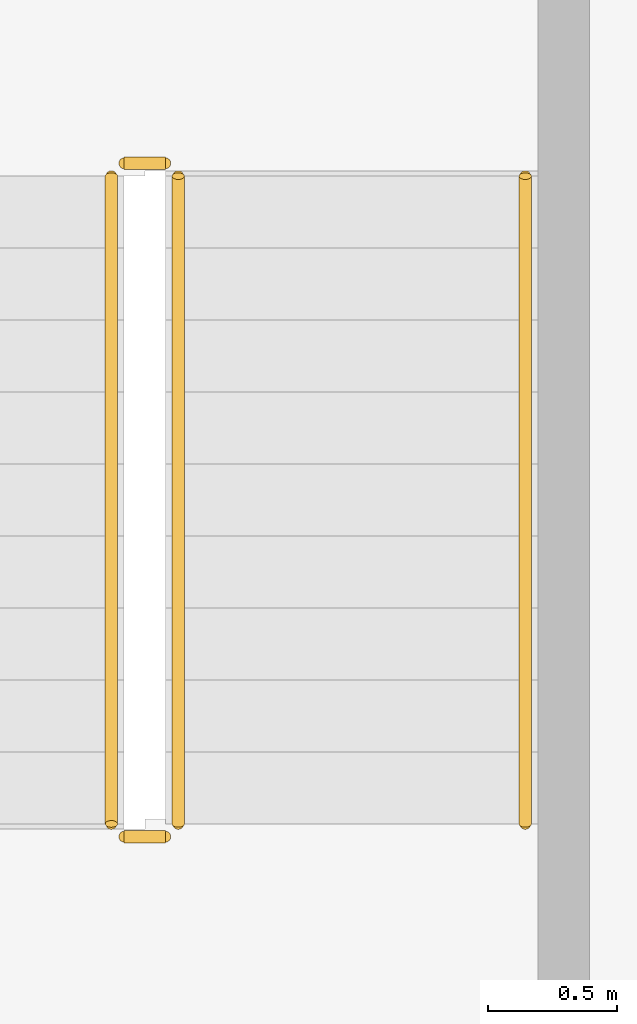
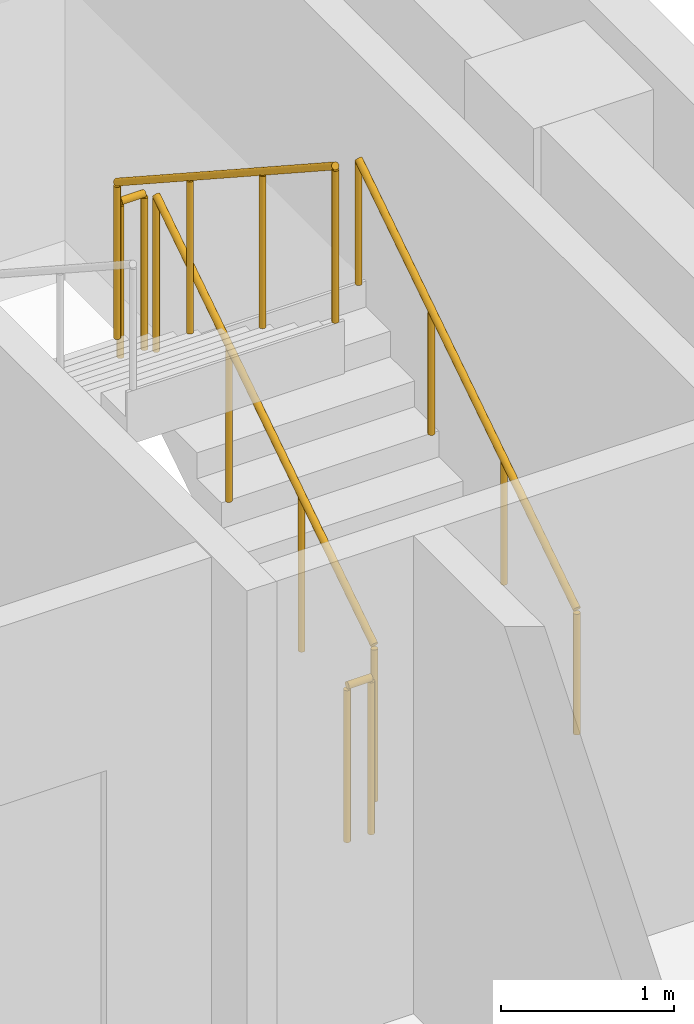
# One storey, part 13 of 14: 5 railings.
"""IFC4 building model written with IfcOpenShell, lengths in metres."""

from ifc_helpers import new_model, si_unit, direction, frame, origin, origin_2d, place, context, subcontext, project, spatial, circle, extrude, material, type_object, element, save


model = new_model("IFC4")

# Units and contexts
model_context = context("Model", 3, precision=1e-05, world=origin(), true_north=direction((0.0, 1.0)))
body_context = subcontext(model_context, "Body", "Model", "MODEL_VIEW")
ifc_project = project(units=[si_unit("LENGTHUNIT", "METRE"), si_unit("AREAUNIT", "SQUARE_METRE"), si_unit("VOLUMEUNIT", "CUBIC_METRE"), si_unit("PLANEANGLEUNIT", "RADIAN"), si_unit("MASSUNIT", "GRAM", prefix="KILO")], contexts=[model_context])

# Site, building, storey
site_placement = place(None, origin())
site = spatial("IfcSite", under=ifc_project, at=site_placement, CompositionType="ELEMENT")
building_placement = place(site_placement, origin())
building = spatial("IfcBuilding", under=site, at=building_placement, Name="Nuvemarco Arch Tower", CompositionType="ELEMENT")
storey_placement = place(building_placement, frame((0.0, 0.0, 272.550048828125)))
storey = spatial("IfcBuildingStorey", under=building, at=storey_placement, Name="L72", CompositionType="ELEMENT", Elevation=272.550048828125)

# Railings
ifc_material_1 = material(Name="Brushed stainless steel handrail", Category="steel")
railing_type_1 = type_object("IfcRailingType", Name="RL-HANDRAIL-900", PredefinedType="HANDRAIL", material=ifc_material_1)
railing_1_placement = place(storey_placement, frame((16.550048828125, 2.64990234375, 0.182373046875)))
element("IfcRailing", 1, at=railing_1_placement, inside=storey, type_object=railing_type_1, Name="L72 ST-2 stair handrail 1", PredefinedType="HANDRAIL", context=body_context, shape_type="SweptSolid", body=[
    extrude(circle(Radius=0.02392578125, at=origin_2d()), frame((0.0, 0.0, 0.8759765625), z_axis=(0.0, 0.837749427056, 0.546054848405), x_axis=(-1.0, 0.0, 0.0)), (0.0, 0.0, 1.0), 3.008056640625),
    extrude(circle(Radius=0.02099609375, at=origin_2d()), origin(), (0.0, 0.0, 1.0), 0.851806640625),
    extrude(circle(Radius=0.02099609375, at=origin_2d()), frame((0.0, 0.840087890625, 0.547607421875)), (0.0, 0.0, 1.0), 0.851806640625),
    extrude(circle(Radius=0.02099609375, at=origin_2d()), frame((0.0, 1.679931640625, 1.094970703125)), (0.0, 0.0, 1.0), 0.851806640625),
    extrude(circle(Radius=0.02099609375, at=origin_2d()), frame((0.0, 2.52001953125, 1.642578125)), (0.0, 0.0, 1.0), 0.851806640625),
])
ifc_material_2 = material(Name="Painted balustrade steel S355", Category="steel")
railing_type_2 = type_object("IfcRailingType", Name="RL-STAIR-GUARD", PredefinedType="GUARDRAIL", material=ifc_material_2)
railing_2_placement = place(storey_placement, frame((15.199951171875, 2.64990234375, 0.182373046875)))
element("IfcRailing", 2, at=railing_2_placement, inside=storey, type_object=railing_type_2, Name="L72 ST-2 stair guard 1", PredefinedType="GUARDRAIL", context=body_context, shape_type="SweptSolid", body=[
    extrude(circle(Radius=0.02392578125, at=origin_2d()), frame((0.0, 0.0, 1.09619140625), z_axis=(0.0, 0.837749427056, 0.546054848405), x_axis=(-1.0, 0.0, 0.0)), (0.0, 0.0, 1.0), 3.008056640625),
    extrude(circle(Radius=0.02099609375, at=origin_2d()), origin(), (0.0, 0.0, 1.0), 1.072021484375),
    extrude(circle(Radius=0.02099609375, at=origin_2d()), frame((0.0, 0.840087890625, 0.547607421875)), (0.0, 0.0, 1.0), 1.072021484375),
    extrude(circle(Radius=0.02099609375, at=origin_2d()), frame((0.0, 1.679931640625, 1.094970703125)), (0.0, 0.0, 1.0), 1.072021484375),
    extrude(circle(Radius=0.02099609375, at=origin_2d()), frame((0.0, 2.52001953125, 1.642578125)), (0.0, 0.0, 1.0), 1.072021484375),
])
railing_3_placement = place(storey_placement, frame((15.14990234375, 5.219970703125, 1.824951171875)))
element("IfcRailing", 3, at=railing_3_placement, inside=storey, type_object=railing_type_2, Name="L72 ST-2 stair guard 2", PredefinedType="GUARDRAIL", context=body_context, shape_type="SweptSolid", body=[
    extrude(circle(Radius=0.02392578125, at=origin_2d()), frame((0.0, 0.0, 1.09619140625), z_axis=(-1.0, 0.0, 0.0), x_axis=(0.0, -1.0, 0.0)), (0.0, 0.0, 1.0), 0.159912109375),
    extrude(circle(Radius=0.02099609375, at=origin_2d()), origin(), (0.0, 0.0, 1.0), 1.072021484375),
    extrude(circle(Radius=0.02099609375, at=origin_2d()), frame((-0.159912109375, 0.0, 0.0)), (0.0, 0.0, 1.0), 1.072021484375),
])
railing_4_placement = place(storey_placement, frame((14.93994140625, 5.169921875, 2.007568359375)))
element("IfcRailing", 4, at=railing_4_placement, inside=storey, type_object=railing_type_2, Name="L72 ST-2 stair guard 3", PredefinedType="GUARDRAIL", context=body_context, shape_type="SweptSolid", body=[
    extrude(circle(Radius=0.02392578125, at=origin_2d()), frame((0.0, 0.0, 1.09619140625), z_axis=(0.0, -0.837786554691, 0.545997883492), x_axis=(1.0, 0.0, 0.0)), (0.0, 0.0, 1.0), 3.008056640625),
    extrude(circle(Radius=0.02099609375, at=origin_2d()), origin(), (0.0, 0.0, 1.0), 1.072021484375),
    extrude(circle(Radius=0.02099609375, at=origin_2d()), frame((0.0, -0.840087890625, 0.54736328125)), (0.0, 0.0, 1.0), 1.072021484375),
    extrude(circle(Radius=0.02099609375, at=origin_2d()), frame((0.0, -1.679931640625, 1.094970703125)), (0.0, 0.0, 1.0), 1.072021484375),
    extrude(circle(Radius=0.02099609375, at=origin_2d()), frame((0.0, -2.52001953125, 1.642333984375)), (0.0, 0.0, 1.0), 1.072021484375),
])
railing_5_placement = place(storey_placement, frame((15.14990234375, 2.60009765625, 0.0)))
element("IfcRailing", 5, at=railing_5_placement, inside=storey, type_object=railing_type_2, Name="L72 ST-2 stair guard 4", PredefinedType="GUARDRAIL", context=body_context, shape_type="SweptSolid", body=[
    extrude(circle(Radius=0.02392578125, at=origin_2d()), frame((0.0, 0.0, 1.09619140625), z_axis=(-1.0, 0.0, 0.0), x_axis=(0.0, -1.0, 0.0)), (0.0, 0.0, 1.0), 0.159912109375),
    extrude(circle(Radius=0.02099609375, at=origin_2d()), origin(), (0.0, 0.0, 1.0), 1.072021484375),
    extrude(circle(Radius=0.02099609375, at=origin_2d()), frame((-0.159912109375, 0.0, 0.0)), (0.0, 0.0, 1.0), 1.072021484375),
])

save(model, "model.ifc")
